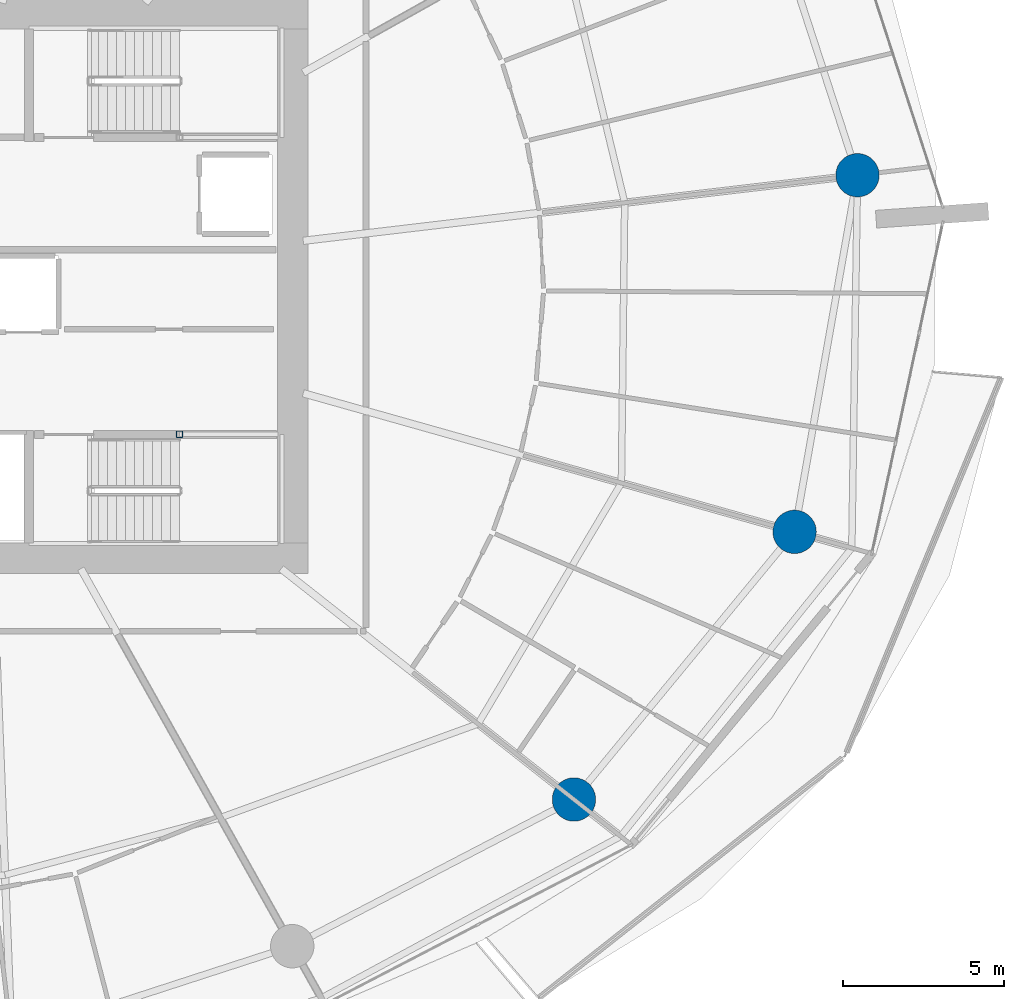
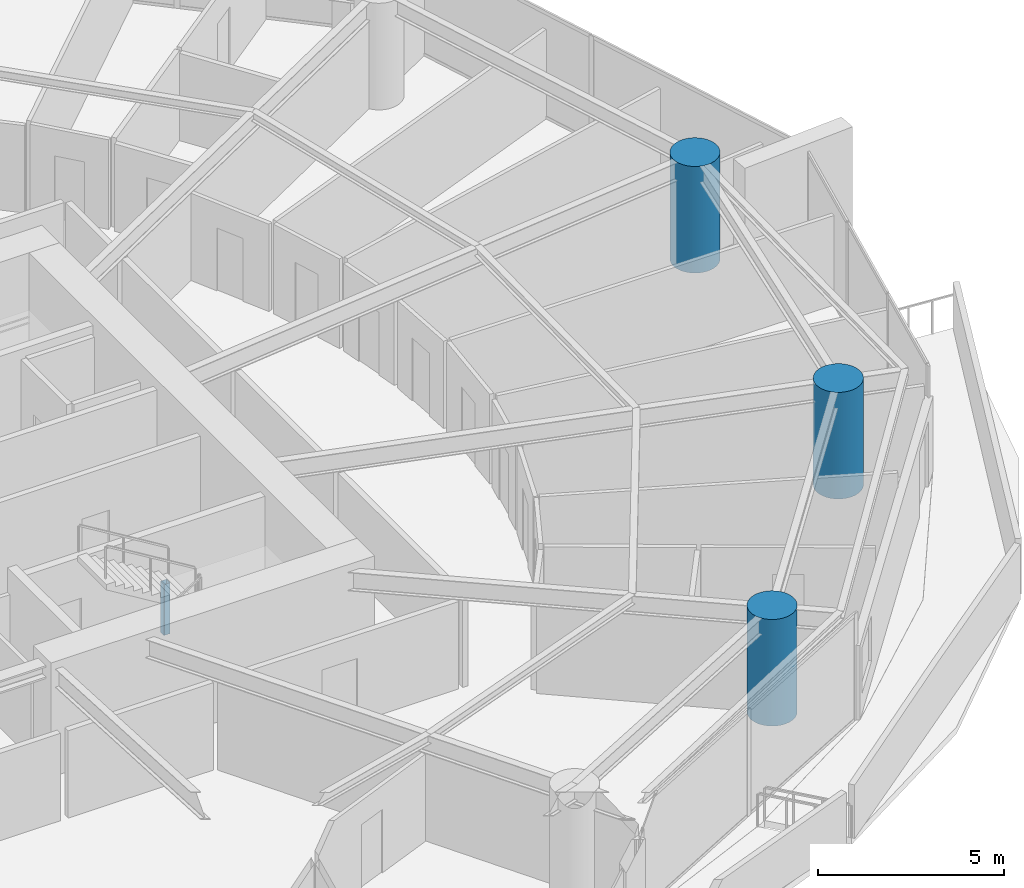
# One storey, part 3 of 32: 4 columns.
"""IFC4 building model written with IfcOpenShell, lengths in metres."""

from ifc_helpers import new_model, si_unit, direction, frame, origin, origin_2d, place, context, subcontext, project, spatial, hollow_rectangle, circle, extrude, material, material_profile, profile_set, type_object, element, save


model = new_model("IFC4")

# Units and contexts
model_context = context("Model", 3, precision=1e-05, world=origin(), true_north=direction((0.0, 1.0)))
body_context = subcontext(model_context, "Body", "Model", "MODEL_VIEW")
ifc_project = project(units=[si_unit("LENGTHUNIT", "METRE"), si_unit("AREAUNIT", "SQUARE_METRE"), si_unit("VOLUMEUNIT", "CUBIC_METRE"), si_unit("PLANEANGLEUNIT", "RADIAN"), si_unit("MASSUNIT", "GRAM", prefix="KILO")], contexts=[model_context])

# Site, building, storey
site_placement = place(None, origin())
site = spatial("IfcSite", under=ifc_project, at=site_placement, CompositionType="ELEMENT")
building_placement = place(site_placement, origin())
building = spatial("IfcBuilding", under=site, at=building_placement, Name="Kazma Halo Residences", CompositionType="ELEMENT")
storey_placement = place(building_placement, frame((0.0, 0.0, 63.89990234375)))
storey = spatial("IfcBuildingStorey", under=building, at=storey_placement, Name="L15", CompositionType="ELEMENT", Elevation=63.89990234375)

# Columns
ifc_material_1 = material(Name="Steel S355", Category="steel")
ifc_material_profile_1 = material_profile(ifc_material_1, hollow_rectangle(XDim=0.199951171875, YDim=0.199951171875, WallThickness=0.010009765625, InnerFilletRadius=0.010009765625, OuterFilletRadius=0.02001953125, at=origin_2d()), Name="SHS200x200x10")
ifc_profile_set_1 = profile_set([ifc_material_profile_1], Name="Steel S355")
column_type_1 = type_object("IfcColumnType", Name="COL-LP-SHS200", PredefinedType="COLUMN", material=ifc_profile_set_1)
column_placement = place(storey_placement, frame((56.0, 37.3798828125, 0.0), z_axis=(0.0, 0.0, 1.0), x_axis=(1.0, 0.0, 0.0)))
element("IfcColumn", 1, at=column_placement, inside=storey, type_object=column_type_1, Name="L15 ST-03 landing pilaster 1", PredefinedType="COLUMN", context=body_context, shape_type="SweptSolid", body=[
    extrude(hollow_rectangle(XDim=0.199951171875, YDim=0.199951171875, WallThickness=0.010009765625, InnerFilletRadius=0.010009765625, OuterFilletRadius=0.02001953125, at=origin_2d()), origin(), (0.0, 0.0, 1.0), 1.670166015625),
])
ifc_material_2 = material(Name="Concrete C80/95", Category="concrete")
ifc_material_profile_2 = material_profile(ifc_material_2, circle(Radius=0.675048828125, at=origin_2d()), Name="CIRC1350")
ifc_profile_set_2 = profile_set([ifc_material_profile_2], Name="Concrete C80/95")
column_type_2 = type_object("IfcColumnType", Name="COL-PERIM-1350", PredefinedType="COLUMN", material=ifc_profile_set_2)
for number, where, z_axis, x_axis, name in (
    (2, (68.27587890625, 26.015869140625, 0.0), (0.0, 0.0, 1.0), (1.0, 0.0, 0.0), "L15 perimeter ring column P14"),
    (3, (75.140869140625, 34.345458984375, 0.0), (0.0, 0.0, 1.0), (1.0, 0.0, 0.0), "L15 perimeter ring column P15"),
    (4, (77.097900390625, 45.444091796875, 0.0), (0.0, 0.0, 1.0), (1.0, 0.0, 0.0), "L15 perimeter ring column P16"),
):
    element("IfcColumn", number, at=place(storey_placement, frame(where, z_axis=z_axis, x_axis=x_axis)), inside=storey, type_object=column_type_2, Name=name, PredefinedType="COLUMN", context=body_context, shape_type="SweptSolid", body=[
        extrude(circle(Radius=0.675048828125, at=origin_2d()), origin(), (0.0, 0.0, 1.0), 3.5),
    ])

save(model, "model.ifc")
